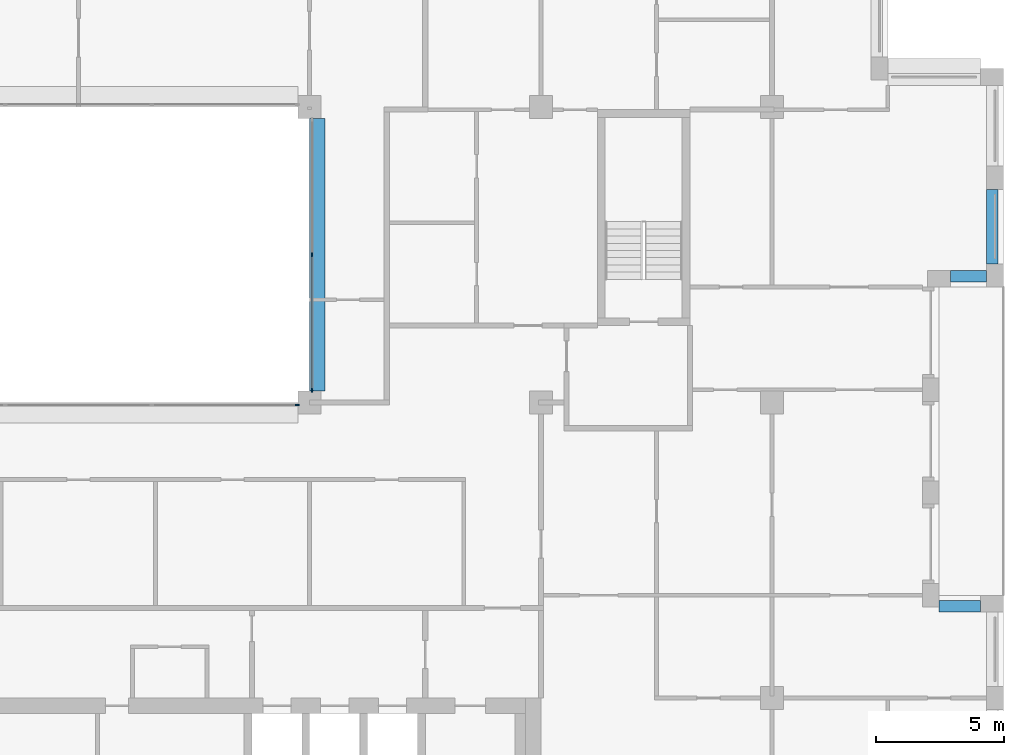
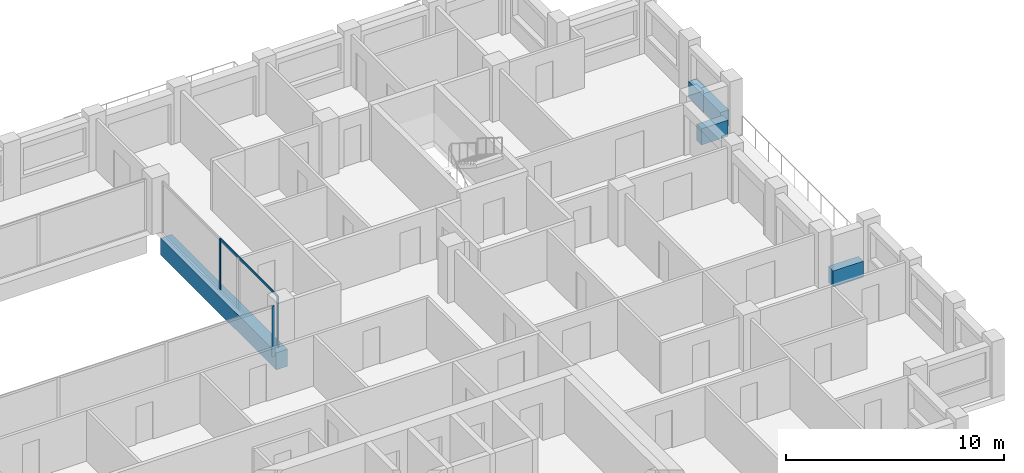
# One storey, part 4 of 16: 4 beams, 4 members, 2 elements without a shape of their own.
"""IFC4 building model written with IfcOpenShell, lengths in metres."""

from ifc_helpers import new_model, si_unit, direction, frame, origin, origin_2d, place, context, subcontext, project, spatial, rectangle, extrude, material, layer, layer_set, material_profile, profile_set, type_object, element, aggregate, save


model = new_model("IFC4")

# Units and contexts
model_context = context("Model", 3, precision=1e-05, world=origin(), true_north=direction((0.0, 1.0)))
body_context = subcontext(model_context, "Body", "Model", "MODEL_VIEW")
ifc_project = project(units=[si_unit("LENGTHUNIT", "METRE"), si_unit("AREAUNIT", "SQUARE_METRE"), si_unit("VOLUMEUNIT", "CUBIC_METRE"), si_unit("PLANEANGLEUNIT", "RADIAN"), si_unit("MASSUNIT", "GRAM", prefix="KILO")], contexts=[model_context])

# Site, building, storey
site_placement = place(None, origin())
site = spatial("IfcSite", under=ifc_project, at=site_placement, CompositionType="ELEMENT")
building_placement = place(site_placement, origin())
building = spatial("IfcBuilding", under=site, at=building_placement, Name="Brigalow Station Residences", CompositionType="ELEMENT")
storey_placement = place(building_placement, frame((0.0, 0.0, 198.0)))
storey = spatial("IfcBuildingStorey", under=building, at=storey_placement, Name="L56", CompositionType="ELEMENT", Elevation=198.0)

# Beam
ifc_material_1 = material(Name="Concrete C65", Category="concrete")
ifc_material_profile_1 = material_profile(ifc_material_1, rectangle(XDim=0.60009765625, YDim=0.949951171875, at=origin_2d()), Name="RC600x950")
ifc_profile_set_1 = profile_set([ifc_material_profile_1], Name="Concrete C65")
beam_type_1 = type_object("IfcBeamType", Name="ATRIUM EDGE GIRDER 600x950 C65", PredefinedType="BEAM", material=ifc_profile_set_1)
beam_1_placement = place(storey_placement, frame((45.300048828125, 24.449951171875, -0.794921875), z_axis=(0.0, 1.0, 0.0), x_axis=(-1.0, 0.0, 0.0)))
element("IfcBeam", 1, at=beam_1_placement, inside=storey, type_object=beam_type_1, Name="ATRIUM EDGE GIRDER 5 L56", PredefinedType="BEAM", context=body_context, shape_type="SweptSolid", body=[
    extrude(rectangle(XDim=0.60009765625, YDim=0.949951171875, at=origin_2d()), origin(), (0.0, 0.0, 1.0), 10.60009765625),
])

# Curtain wall, member
ifc_material_2 = material(Name="Aluminium", Category="aluminium")
ifc_layer = layer(ifc_material_2, 0.14990234375)
ifc_layer_set = layer_set([ifc_layer], Name="ATRIUM FIRE-RATED GLAZING CURTAIN WALL")
curtain_wall_type = type_object("IfcCurtainWallType", Name="ATRIUM FIRE-RATED GLAZING CURTAIN WALL", PredefinedType="NOTDEFINED", material=ifc_layer_set)
curtain_wall_1_placement = place(storey_placement, origin())
curtain_wall_1 = element("IfcCurtainWall", 2, at=curtain_wall_1_placement, inside=storey, type_object=curtain_wall_type, Name="L56/cw/atrium-S", PredefinedType="NOTDEFINED")
ifc_material_3 = material(Name="Aluminium", Category="aluminium")
ifc_material_profile_2 = material_profile(ifc_material_3, rectangle(XDim=0.06005859375, YDim=0.14990234375, at=origin_2d()), Name="ATRIUM FIRE-RATED GLAZING MULLION 60x150")
ifc_profile_set_2 = profile_set([ifc_material_profile_2], Name="Aluminium")
member_type_1 = type_object("IfcMemberType", Name="ATRIUM FIRE-RATED GLAZING MULLION 60x150", PredefinedType="MULLION", material=ifc_profile_set_2)
member_1_placement = place(storey_placement, frame((44.52001953125, 23.89990234375, 0.0), z_axis=(0.0, 0.0, 1.0), x_axis=(0.0, 1.0, 0.0)))
member_1 = element("IfcMember", 3, at=member_1_placement, type_object=member_type_1, Name="L56/cw/atrium-S/M03", PredefinedType="MULLION", context=body_context, shape_type="SweptSolid", body=[
    extrude(rectangle(XDim=0.06005859375, YDim=0.14990234375, at=origin_2d()), origin(), (0.0, 0.0, 1.0), 2.830078125),
])
aggregate(curtain_wall_1, [member_1])

# Curtain wall, members
curtain_wall_2_placement = place(storey_placement, origin())
curtain_wall_2 = element("IfcCurtainWall", 4, at=curtain_wall_2_placement, inside=storey, type_object=curtain_wall_type, Name="L56/cw/atrium-E", PredefinedType="NOTDEFINED")
member_2_placement = place(storey_placement, frame((45.10009765625, 24.47998046875, 0.0), z_axis=(0.0, 0.0, 1.0), x_axis=(-1.0, 0.0, 0.0)))
member_2 = element("IfcMember", 5, at=member_2_placement, type_object=member_type_1, Name="L56/cw/atrium-E/M00", PredefinedType="MULLION", context=body_context, shape_type="SweptSolid", body=[
    extrude(rectangle(XDim=0.06005859375, YDim=0.14990234375, at=origin_2d()), origin(), (0.0, 0.0, 1.0), 2.830078125),
])
member_3_placement = place(storey_placement, frame((45.10009765625, 29.75, 0.0), z_axis=(0.0, 0.0, 1.0), x_axis=(-1.0, 0.0, 0.0)))
member_3 = element("IfcMember", 6, at=member_3_placement, type_object=member_type_1, Name="L56/cw/atrium-E/M01", PredefinedType="MULLION", context=body_context, shape_type="SweptSolid", body=[
    extrude(rectangle(XDim=0.06005859375, YDim=0.14990234375, at=origin_2d()), origin(), (0.0, 0.0, 1.0), 2.830078125),
])
ifc_material_4 = material(Name="Aluminium", Category="aluminium")
ifc_material_profile_3 = material_profile(ifc_material_4, rectangle(XDim=0.06005859375, YDim=0.1201171875, at=origin_2d()), Name="ATRIUM FIRE-RATED GLAZING TRANSOM 60x120")
ifc_profile_set_3 = profile_set([ifc_material_profile_3], Name="Aluminium")
member_type_2 = type_object("IfcMemberType", Name="ATRIUM FIRE-RATED GLAZING TRANSOM 60x120", PredefinedType="USERDEFINED", material=ifc_profile_set_3)
member_4_placement = place(storey_placement, frame((45.10009765625, 24.510009765625, 2.800048828125), z_axis=(0.0, 1.0, 0.0), x_axis=(-1.0, 0.0, 0.0)))
member_4 = element("IfcMember", 7, at=member_4_placement, type_object=member_type_2, Name="L56/cw/atrium-E/T00-00", ObjectType="TRANSOM", PredefinedType="USERDEFINED", context=body_context, shape_type="SweptSolid", body=[
    extrude(rectangle(XDim=0.06005859375, YDim=0.1201171875, at=origin_2d()), origin(), (0.0, 0.0, 1.0), 5.2099609375),
])
aggregate(curtain_wall_2, [member_2, member_3, member_4])

# Beams
ifc_material_5 = material(Name="Concrete C50", Category="concrete")
ifc_material_profile_4 = material_profile(ifc_material_5, rectangle(XDim=0.449951171875, YDim=0.89990234375, at=origin_2d()), Name="RC450x900")
ifc_profile_set_4 = profile_set([ifc_material_profile_4], Name="Concrete C50")
beam_type_2 = type_object("IfcBeamType", Name="SPANDREL BEAM 450x900 C50", PredefinedType="SPANDREL", material=ifc_profile_set_4)
beam_2_placement = place(storey_placement, frame((71.10009765625, 16.074951171875, 0.449951171875), z_axis=(-1.0, 0.0, 0.0), x_axis=(0.0, -1.0, 0.0)))
element("IfcBeam", 8, at=beam_2_placement, inside=storey, type_object=beam_type_2, Name="L56/spandrel/W-L56-11", PredefinedType="SPANDREL", context=body_context, shape_type="SweptSolid", body=[
    extrude(rectangle(XDim=0.449951171875, YDim=0.89990234375, at=origin_2d()), origin(), (0.0, 0.0, 1.0), 1.60009765625),
])
beam_3_placement = place(storey_placement, frame((69.949951171875, 28.925048828125, 0.449951171875), z_axis=(1.0, 0.0, 0.0), x_axis=(0.0, 1.0, 0.0)))
element("IfcBeam", 9, at=beam_3_placement, inside=storey, type_object=beam_type_2, Name="L56/spandrel/W-L56-15", PredefinedType="SPANDREL", context=body_context, shape_type="SweptSolid", body=[
    extrude(rectangle(XDim=0.449951171875, YDim=0.89990234375, at=origin_2d()), origin(), (0.0, 0.0, 1.0), 1.400146484375),
])
beam_4_placement = place(storey_placement, frame((71.574951171875, 29.39990234375, 0.449951171875), z_axis=(0.0, 1.0, 0.0), x_axis=(-1.0, 0.0, 0.0)))
element("IfcBeam", 10, at=beam_4_placement, inside=storey, type_object=beam_type_2, Name="L56/spandrel/W-L56-16", PredefinedType="SPANDREL", context=body_context, shape_type="SweptSolid", body=[
    extrude(rectangle(XDim=0.449951171875, YDim=0.89990234375, at=origin_2d()), origin(), (0.0, 0.0, 1.0), 2.900146484375),
])

save(model, "model.ifc")
